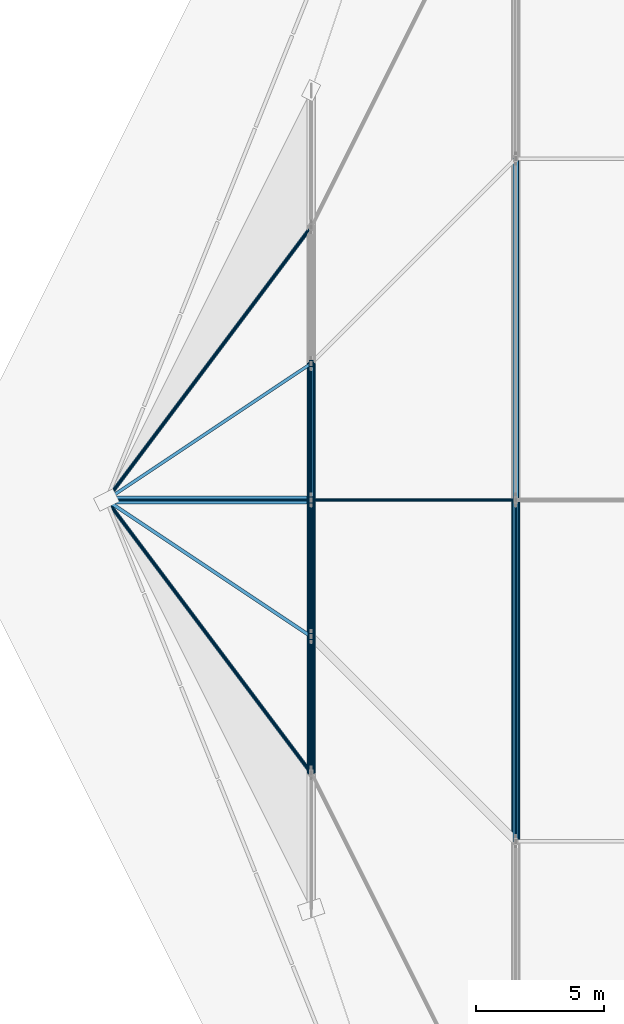
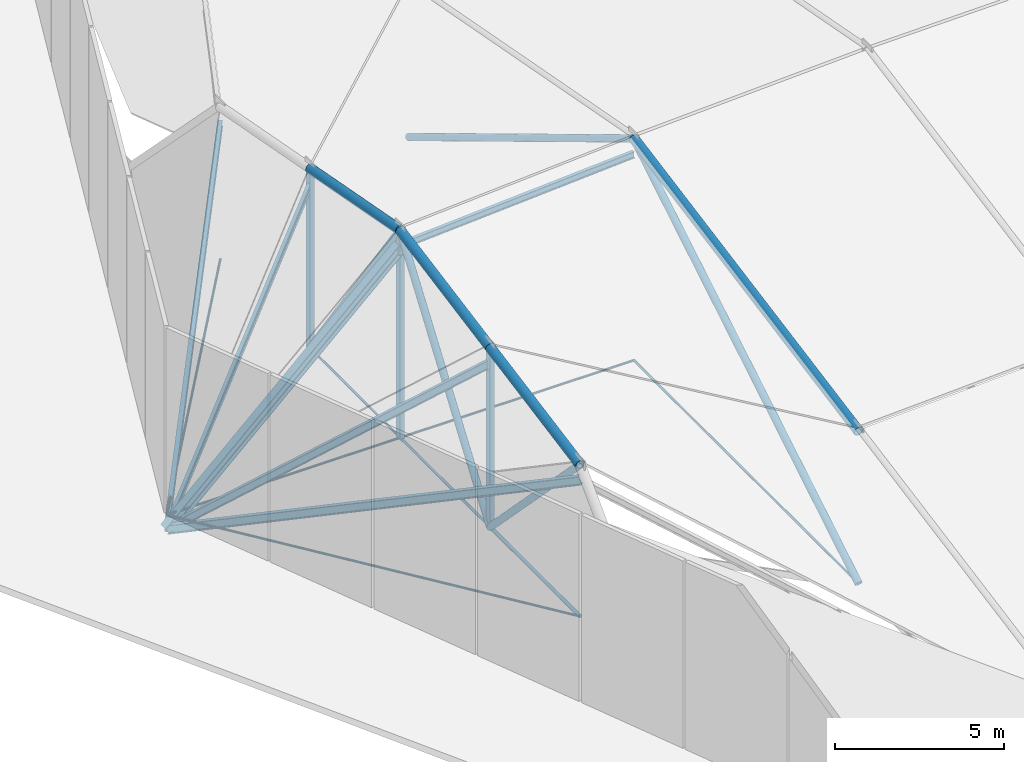
# One storey, part 6 of 30: 26 members.
"""IFC4 building model written with IfcOpenShell, lengths in metres."""

from ifc_helpers import new_model, si_unit, direction, frame, origin, origin_2d, place, context, subcontext, project, spatial, hollow_rectangle, circle, hollow_circle, i_section, extrude, material, material_profile, profile_set, type_object, element, save


model = new_model("IFC4")

# Units and contexts
model_context = context("Model", 3, precision=1e-05, world=origin(), true_north=direction((0.0, 1.0)))
body_context = subcontext(model_context, "Body", "Model", "MODEL_VIEW")
ifc_project = project(units=[si_unit("LENGTHUNIT", "METRE"), si_unit("AREAUNIT", "SQUARE_METRE"), si_unit("VOLUMEUNIT", "CUBIC_METRE"), si_unit("PLANEANGLEUNIT", "RADIAN"), si_unit("MASSUNIT", "GRAM", prefix="KILO")], contexts=[model_context])

# Site, building, storey
site_placement = place(None, origin())
site = spatial("IfcSite", under=ifc_project, at=site_placement, CompositionType="ELEMENT")
building_placement = place(site_placement, origin())
building = spatial("IfcBuilding", under=site, at=building_placement, Name="Tazarka Park Arena", CompositionType="ELEMENT")
storey_placement = place(building_placement, frame((0.0, 0.0, 29.39990234375)))
storey = spatial("IfcBuildingStorey", under=building, at=storey_placement, Name="Roof", CompositionType="ELEMENT", Elevation=29.39990234375)

# Members
ifc_material_1 = material(Name="Steel S355", Category="steel")
ifc_material_profile_1 = material_profile(ifc_material_1, hollow_circle(Radius=0.122314453125, WallThickness=0.012451171875, at=origin_2d()), Name="Steel S355")
ifc_profile_set_1 = profile_set([ifc_material_profile_1], Name="Steel S355")
member_type_1 = type_object("IfcMemberType", Name="MEM-BR-05", PredefinedType="BRACE", material=ifc_profile_set_1)
member_1_placement = place(storey_placement, frame((56.0, 53.333251953125, 5.44580078125), z_axis=(0.0, 0.696443511001, -0.717611619181), x_axis=(-1.0, 0.0, 0.0)))
element("IfcMember", 1, at=member_1_placement, inside=storey, type_object=member_type_1, Name="CBD-01-1", PredefinedType="BRACE", context=body_context, shape_type="SweptSolid", body=[
    extrude(hollow_circle(Radius=0.122314453125, WallThickness=0.012451171875, at=origin_2d()), origin(), (0.0, 0.0, 1.0), 7.658203125),
])
for number, where, z_axis, x_axis, name in (
    (2, (56.0, 58.666748046875, -0.0498046875), (0.0, 0.579154741417, 0.815217630755), (-1.0, 0.0, 0.0), "CBD-01-2"),
    (3, (56.0, 64.0, 7.457275390625), (0.0, 0.579154741417, -0.815217630755), (-1.0, 0.0, 0.0), "CBD-01-3"),
):
    element("IfcMember", number, at=place(storey_placement, frame(where, z_axis=z_axis, x_axis=x_axis)), inside=storey, type_object=member_type_1, Name=name, PredefinedType="BRACE", context=body_context, shape_type="SweptSolid", body=[
        extrude(hollow_circle(Radius=0.122314453125, WallThickness=0.012451171875, at=origin_2d()), origin(), (0.0, 0.0, 1.0), 9.208740234375),
    ])
for number, where, z_axis, x_axis, name in (
    (4, (64.0, 50.666748046875, -0.0498046875), (0.0, 0.856673849497, 0.515858425916), (-1.0, 0.0, 0.0), "CBD-02-2"),
    (5, (64.0, 64.0, 7.97900390625), (0.0, 0.856673849497, -0.515858425916), (-1.0, 0.0, 0.0), "CBD-02-3"),
):
    element("IfcMember", number, at=place(storey_placement, frame(where, z_axis=z_axis, x_axis=x_axis)), inside=storey, type_object=member_type_1, Name=name, PredefinedType="BRACE", context=body_context, shape_type="SweptSolid", body=[
        extrude(hollow_circle(Radius=0.122314453125, WallThickness=0.012451171875, at=origin_2d()), origin(), (0.0, 0.0, 1.0), 15.56396484375),
    ])
ifc_material_2 = material(Name="Locked-coil steel cable S1570", Category="steel")
ifc_material_profile_2 = material_profile(ifc_material_2, circle(Radius=0.0400390625, at=origin_2d()), Name="Locked-coil steel cable S1570")
ifc_profile_set_2 = profile_set([ifc_material_profile_2], Name="Locked-coil steel cable S1570")
member_type_2 = type_object("IfcMemberType", Name="MEM-CBL-01", PredefinedType="USERDEFINED", material=ifc_profile_set_2)
member_2_placement = place(storey_placement, frame((56.0, 64.0, -0.0498046875), z_axis=(0.0, 1.0, 0.0), x_axis=(-1.0, 0.0, 0.0)))
element("IfcMember", 6, at=member_2_placement, inside=storey, type_object=member_type_2, Name="CABLE CBL-01-2-4", ObjectType="CABLE", PredefinedType="USERDEFINED", context=body_context, shape_type="SweptSolid", body=[
    extrude(circle(Radius=0.0400390625, at=origin_2d()), origin(), (0.0, 0.0, 1.0), 5.333251953125),
])
member_3_placement = place(storey_placement, frame((64.0, 50.666748046875, -0.0498046875), z_axis=(0.0, 1.0, 0.0), x_axis=(-1.0, 0.0, 0.0)))
element("IfcMember", 7, at=member_3_placement, inside=storey, type_object=member_type_2, Name="CABLE CBL-01-3-3", ObjectType="CABLE", PredefinedType="USERDEFINED", context=body_context, shape_type="SweptSolid", body=[
    extrude(circle(Radius=0.0400390625, at=origin_2d()), origin(), (0.0, 0.0, 1.0), 13.333251953125),
])
member_4_placement = place(storey_placement, frame((48.0, 64.0, -0.0498046875), z_axis=(0.599997070323, -0.80000219725, 0.0), x_axis=(0.80000219725, 0.599997070323, 0.0)))
element("IfcMember", 8, at=member_4_placement, inside=storey, type_object=member_type_2, Name="CABLE TRANSVERSE 1-1", ObjectType="CABLE", PredefinedType="USERDEFINED", context=body_context, shape_type="SweptSolid", body=[
    extrude(circle(Radius=0.0400390625, at=origin_2d()), origin(), (0.0, 0.0, 1.0), 13.33349609375),
])
member_5_placement = place(storey_placement, frame((48.0, 64.0, -0.0498046875), z_axis=(1.0, 0.0, 0.0), x_axis=(0.0, 1.0, 0.0)))
element("IfcMember", 9, at=member_5_placement, inside=storey, type_object=member_type_2, Name="CABLE TRANSVERSE 1-3", ObjectType="CABLE", PredefinedType="USERDEFINED", context=body_context, shape_type="SweptSolid", body=[
    extrude(circle(Radius=0.0400390625, at=origin_2d()), origin(), (0.0, 0.0, 1.0), 8.0),
])
member_6_placement = place(storey_placement, frame((48.0, 64.0, -0.0498046875), z_axis=(0.599997070323, 0.80000219725, 0.0), x_axis=(-0.80000219725, 0.599997070323, 0.0)))
element("IfcMember", 10, at=member_6_placement, inside=storey, type_object=member_type_2, Name="CABLE TRANSVERSE 1-5", ObjectType="CABLE", PredefinedType="USERDEFINED", context=body_context, shape_type="SweptSolid", body=[
    extrude(circle(Radius=0.0400390625, at=origin_2d()), origin(), (0.0, 0.0, 1.0), 13.33349609375),
])
member_7_placement = place(storey_placement, frame((56.0, 64.0, -0.0498046875), z_axis=(1.0, 0.0, 0.0), x_axis=(0.0, 1.0, 0.0)))
element("IfcMember", 11, at=member_7_placement, inside=storey, type_object=member_type_2, Name="CABLE TRANSVERSE 2-3", ObjectType="CABLE", PredefinedType="USERDEFINED", context=body_context, shape_type="SweptSolid", body=[
    extrude(circle(Radius=0.0400390625, at=origin_2d()), origin(), (0.0, 0.0, 1.0), 8.0),
])
ifc_material_3 = material(Name="Locked-coil steel cable S1570", Category="steel")
ifc_material_profile_3 = material_profile(ifc_material_3, circle(Radius=0.06005859375, at=origin_2d()), Name="Locked-coil steel cable S1570")
ifc_profile_set_3 = profile_set([ifc_material_profile_3], Name="Locked-coil steel cable S1570")
member_type_3 = type_object("IfcMemberType", Name="MEM-CBL-03", PredefinedType="USERDEFINED", material=ifc_profile_set_3)
member_8_placement = place(storey_placement, frame((56.0, 53.333251953125, -0.0498046875), z_axis=(0.0, 1.0, 0.0), x_axis=(-1.0, 0.0, 0.0)))
element("IfcMember", 12, at=member_8_placement, inside=storey, type_object=member_type_3, Name="CABLE CBL-03-2-2", ObjectType="CABLE", PredefinedType="USERDEFINED", context=body_context, shape_type="SweptSolid", body=[
    extrude(circle(Radius=0.06005859375, at=origin_2d()), origin(), (0.0, 0.0, 1.0), 5.33349609375),
])
ifc_material_4 = material(Name="Locked-coil steel cable S1570", Category="steel")
ifc_material_profile_4 = material_profile(ifc_material_4, circle(Radius=0.044921875, at=origin_2d()), Name="Locked-coil steel cable S1570")
ifc_profile_set_4 = profile_set([ifc_material_profile_4], Name="Locked-coil steel cable S1570")
member_type_4 = type_object("IfcMemberType", Name="MEM-CBL-04", PredefinedType="USERDEFINED", material=ifc_profile_set_4)
member_9_placement = place(storey_placement, frame((56.0, 58.666748046875, -0.0498046875), z_axis=(0.0, 1.0, 0.0), x_axis=(-1.0, 0.0, 0.0)))
element("IfcMember", 13, at=member_9_placement, inside=storey, type_object=member_type_4, Name="CABLE CBL-04-2-3", ObjectType="CABLE", PredefinedType="USERDEFINED", context=body_context, shape_type="SweptSolid", body=[
    extrude(circle(Radius=0.044921875, at=origin_2d()), origin(), (0.0, 0.0, 1.0), 5.333251953125),
])
ifc_material_5 = material(Name="Steel S460", Category="steel")
ifc_material_profile_5 = material_profile(ifc_material_5, hollow_circle(Radius=0.161865234375, WallThickness=0.01611328125, at=origin_2d()), Name="Steel S460")
ifc_profile_set_5 = profile_set([ifc_material_profile_5], Name="Steel S460")
member_type_5 = type_object("IfcMemberType", Name="MEM-CH-03", PredefinedType="CHORD", material=ifc_profile_set_5)
member_10_placement = place(storey_placement, frame((56.0, 53.333251953125, 5.44580078125), z_axis=(0.0, 0.982685304414, 0.185282466762), x_axis=(-1.0, 0.0, 0.0)))
element("IfcMember", 14, at=member_10_placement, inside=storey, type_object=member_type_5, Name="CABLE ARCH CHORD 2-2", PredefinedType="CHORD", context=body_context, shape_type="SweptSolid", body=[
    extrude(hollow_circle(Radius=0.161865234375, WallThickness=0.01611328125, at=origin_2d()), origin(), (0.0, 0.0, 1.0), 5.427490234375),
])
for number, where, z_axis, x_axis, name in (
    (15, (56.0, 58.666748046875, 6.451416015625), (0.0, 0.982675568341, 0.185334096661), (-1.0, 0.0, 0.0), "CABLE ARCH CHORD 2-3"),
    (16, (56.0, 64.0, 7.457275390625), (0.0, 0.982675568341, -0.185334096661), (-1.0, 0.0, 0.0), "CABLE ARCH CHORD 2-4"),
):
    element("IfcMember", number, at=place(storey_placement, frame(where, z_axis=z_axis, x_axis=x_axis)), inside=storey, type_object=member_type_5, Name=name, PredefinedType="CHORD", context=body_context, shape_type="SweptSolid", body=[
        extrude(hollow_circle(Radius=0.161865234375, WallThickness=0.01611328125, at=origin_2d()), origin(), (0.0, 0.0, 1.0), 5.42724609375),
    ])
member_11_placement = place(storey_placement, frame((64.0, 50.666748046875, 5.46484375), z_axis=(0.0, 0.982682430789, 0.185297706998), x_axis=(-1.0, 0.0, 0.0)))
element("IfcMember", 17, at=member_11_placement, inside=storey, type_object=member_type_5, Name="CABLE ARCH CHORD 3-3", PredefinedType="CHORD", context=body_context, shape_type="SweptSolid", body=[
    extrude(hollow_circle(Radius=0.161865234375, WallThickness=0.01611328125, at=origin_2d()), origin(), (0.0, 0.0, 1.0), 13.568115234375),
])
ifc_material_6 = material(Name="Steel S355", Category="steel")
ifc_material_profile_6 = material_profile(ifc_material_6, i_section(OverallWidth=0.1201171875, OverallDepth=0.239990234375, WebThickness=0.006103515625, FlangeThickness=0.009765625, FilletRadius=0.014892578125, at=origin_2d()), Name="Steel S355")
ifc_profile_set_6 = profile_set([ifc_material_profile_6], Name="Steel S355")
member_type_6 = type_object("IfcMemberType", Name="MEM-PR-01", PredefinedType="PURLIN", material=ifc_profile_set_6)
member_12_placement = place(storey_placement, frame((48.0, 64.0, -0.559814453125), z_axis=(0.690928872987, 0.460612220166, 0.557183699606), x_axis=(-0.554694336455, 0.832054200822, 0.0)))
element("IfcMember", 18, at=member_12_placement, inside=storey, type_object=member_type_6, Name="RPM-00-04", PredefinedType="PURLIN", context=body_context, shape_type="SweptSolid", body=[
    extrude(i_section(OverallWidth=0.1201171875, OverallDepth=0.239990234375, WebThickness=0.006103515625, FlangeThickness=0.009765625, FilletRadius=0.014892578125, at=origin_2d()), origin(), (0.0, 0.0, 1.0), 11.57861328125),
])
member_13_placement = place(storey_placement, frame((56.0, 64.0, 6.897216796875), z_axis=(0.997878213886, 0.0, 0.06510814274), x_axis=(0.0, 1.0, 0.0)))
element("IfcMember", 19, at=member_13_placement, inside=storey, type_object=member_type_6, Name="RPM-01-03", PredefinedType="PURLIN", context=body_context, shape_type="SweptSolid", body=[
    extrude(i_section(OverallWidth=0.1201171875, OverallDepth=0.239990234375, WebThickness=0.006103515625, FlangeThickness=0.009765625, FilletRadius=0.014892578125, at=origin_2d()), origin(), (0.0, 0.0, 1.0), 8.01708984375),
])
ifc_material_7 = material(Name="Steel S355", Category="steel")
ifc_material_profile_7 = material_profile(ifc_material_7, i_section(OverallWidth=0.14990234375, OverallDepth=0.300048828125, WebThickness=0.007080078125, FlangeThickness=0.0107421875, FilletRadius=0.014892578125, at=origin_2d()), Name="Steel S355")
ifc_profile_set_7 = profile_set([ifc_material_profile_7], Name="Steel S355")
member_type_7 = type_object("IfcMemberType", Name="MEM-PR-02", PredefinedType="PURLIN", material=ifc_profile_set_7)
for number, where, z_axis, x_axis, name in (
    (20, (48.0, 64.0, -0.559814453125), (0.555456986462, -0.740614965683, 0.378096560151), (0.80000219725, 0.599997070323, 0.0), "RPM-00-01"),
    (21, (48.0, 64.0, -0.559814453125), (0.555456986462, 0.740614965683, 0.378096560151), (-0.80000219725, 0.599997070323, 0.0), "RPM-00-05"),
):
    element("IfcMember", number, at=place(storey_placement, frame(where, z_axis=z_axis, x_axis=x_axis)), inside=storey, type_object=member_type_7, Name=name, PredefinedType="PURLIN", context=body_context, shape_type="SweptSolid", body=[
        extrude(i_section(OverallWidth=0.14990234375, OverallDepth=0.300048828125, WebThickness=0.007080078125, FlangeThickness=0.0107421875, FilletRadius=0.014892578125, at=origin_2d()), origin(), (0.0, 0.0, 1.0), 14.402587890625),
    ])
ifc_material_8 = material(Name="Steel S355", Category="steel")
ifc_material_profile_8 = material_profile(ifc_material_8, i_section(OverallWidth=0.135009765625, OverallDepth=0.27001953125, WebThickness=0.006591796875, FlangeThickness=0.01025390625, FilletRadius=0.014892578125, at=origin_2d()), Name="Steel S355")
ifc_profile_set_8 = profile_set([ifc_material_profile_8], Name="Steel S355")
member_type_8 = type_object("IfcMemberType", Name="MEM-PR-03", PredefinedType="PURLIN", material=ifc_profile_set_8)
member_14_placement = place(storey_placement, frame((48.0, 64.0, -0.559814453125), z_axis=(0.690928872987, -0.460612220166, 0.557183699606), x_axis=(0.554694336455, 0.832054200822, 0.0)))
element("IfcMember", 22, at=member_14_placement, inside=storey, type_object=member_type_8, Name="RPM-00-02", PredefinedType="PURLIN", context=body_context, shape_type="SweptSolid", body=[
    extrude(i_section(OverallWidth=0.135009765625, OverallDepth=0.27001953125, WebThickness=0.006591796875, FlangeThickness=0.01025390625, FilletRadius=0.014892578125, at=origin_2d()), origin(), (0.0, 0.0, 1.0), 11.57861328125),
])
ifc_material_9 = material(Name="Steel S355", Category="steel")
ifc_material_profile_9 = material_profile(ifc_material_9, i_section(OverallWidth=0.300048828125, OverallDepth=0.35009765625, WebThickness=0.010009765625, FlangeThickness=0.017578125, FilletRadius=0.027099609375, at=origin_2d()), Name="Steel S355")
ifc_profile_set_9 = profile_set([ifc_material_profile_9], Name="Steel S355")
member_type_9 = type_object("IfcMemberType", Name="MEM-PR-04", PredefinedType="PURLIN", material=ifc_profile_set_9)
member_15_placement = place(storey_placement, frame((48.0, 64.0, -0.559814453125), z_axis=(0.731494586196, 0.0, 0.681847248558), x_axis=(0.0, 1.0, 0.0)))
element("IfcMember", 23, at=member_15_placement, inside=storey, type_object=member_type_9, Name="RPM-00-03", PredefinedType="PURLIN", context=body_context, shape_type="SweptSolid", body=[
    extrude(i_section(OverallWidth=0.300048828125, OverallDepth=0.35009765625, WebThickness=0.010009765625, FlangeThickness=0.017578125, FilletRadius=0.027099609375, at=origin_2d()), origin(), (0.0, 0.0, 1.0), 10.9365234375),
])
ifc_material_10 = material(Name="Steel S355", Category="steel")
ifc_material_profile_10 = material_profile(ifc_material_10, hollow_rectangle(XDim=0.14990234375, YDim=0.25, WallThickness=0.010009765625, at=origin_2d()), Name="Steel S355")
ifc_profile_set_10 = profile_set([ifc_material_profile_10], Name="Steel S355")
member_type_10 = type_object("IfcMemberType", Name="MEM-PT-02", PredefinedType="POST", material=ifc_profile_set_10)
member_16_placement = place(storey_placement, frame((56.0, 58.666748046875, -0.0498046875), z_axis=(0.0, 0.0, 1.0), x_axis=(1.0, 0.0, 0.0)))
element("IfcMember", 24, at=member_16_placement, inside=storey, type_object=member_type_10, Name="CBH-01-2", PredefinedType="POST", context=body_context, shape_type="SweptSolid", body=[
    extrude(hollow_rectangle(XDim=0.14990234375, YDim=0.25, WallThickness=0.010009765625, at=origin_2d()), origin(), (0.0, 0.0, 1.0), 6.501220703125),
])
member_17_placement = place(storey_placement, frame((56.0, 64.0, -0.0498046875), z_axis=(0.0, 0.0, 1.0), x_axis=(1.0, 0.0, 0.0)))
element("IfcMember", 25, at=member_17_placement, inside=storey, type_object=member_type_10, Name="CBH-01-3", PredefinedType="POST", context=body_context, shape_type="SweptSolid", body=[
    extrude(hollow_rectangle(XDim=0.14990234375, YDim=0.25, WallThickness=0.010009765625, at=origin_2d()), origin(), (0.0, 0.0, 1.0), 7.507080078125),
])
member_18_placement = place(storey_placement, frame((56.0, 69.333251953125, -0.0498046875), z_axis=(0.0, 0.0, 1.0), x_axis=(1.0, 0.0, 0.0)))
element("IfcMember", 26, at=member_18_placement, inside=storey, type_object=member_type_10, Name="CBH-01-4", PredefinedType="POST", context=body_context, shape_type="SweptSolid", body=[
    extrude(hollow_rectangle(XDim=0.14990234375, YDim=0.25, WallThickness=0.010009765625, at=origin_2d()), origin(), (0.0, 0.0, 1.0), 6.501220703125),
])

save(model, "model.ifc")
